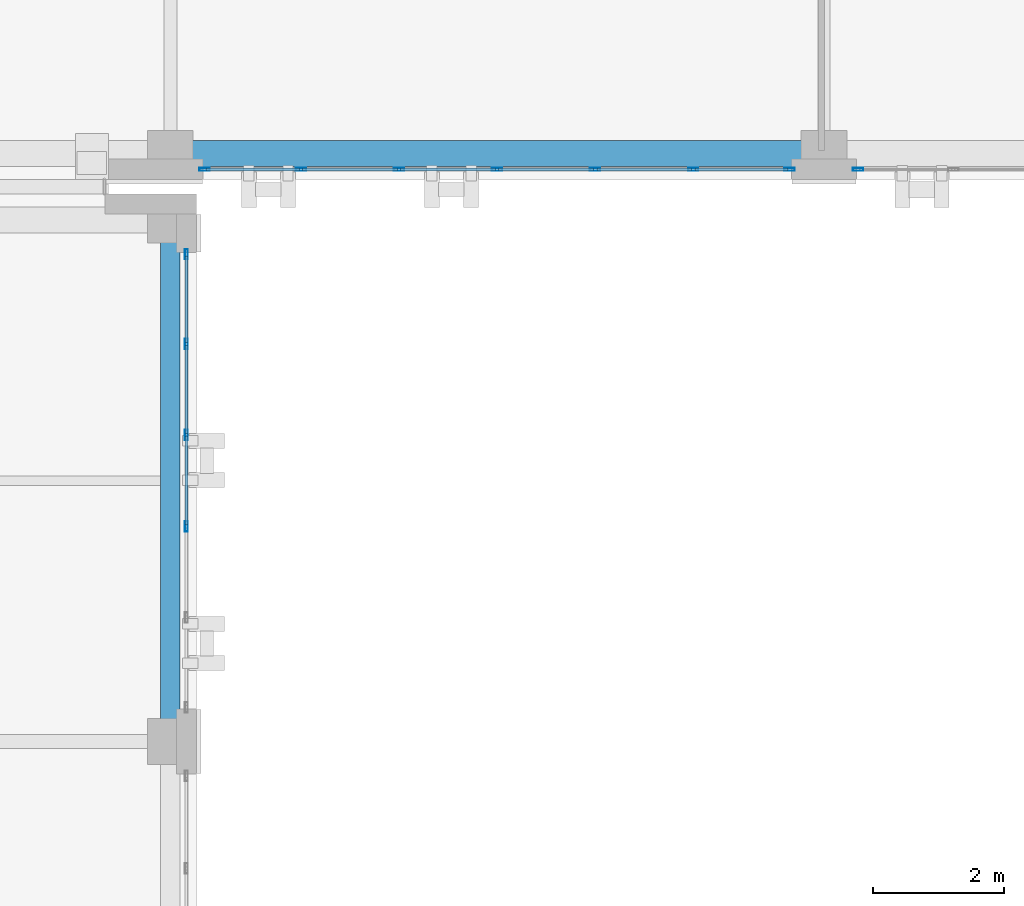
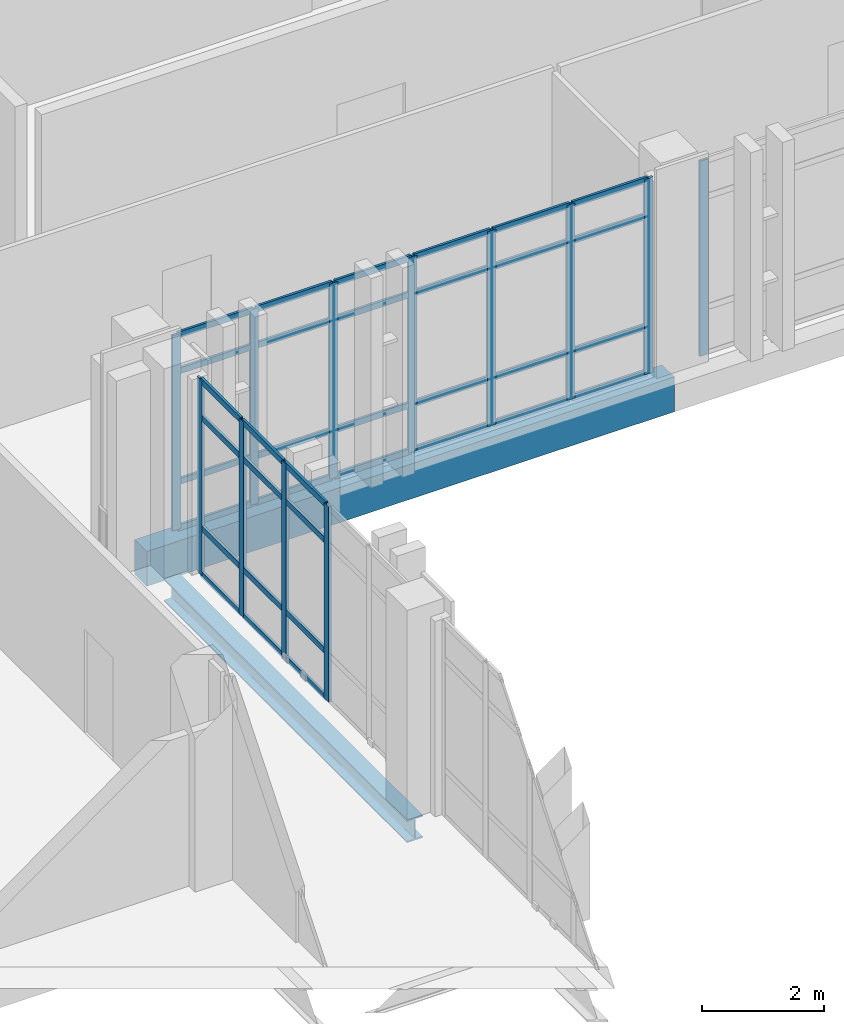
# One storey, part 84 of 193: 48 members, 2 beams, 3 elements without a shape of their own.
"""IFC4 building model written with IfcOpenShell, lengths in metres."""

from ifc_helpers import new_model, si_unit, direction, frame, origin, origin_2d, place, context, subcontext, project, spatial, rectangle, hollow_rectangle, i_section, extrude, material, layer, layer_set, material_profile, profile_set, type_object, element, aggregate, save


model = new_model("IFC4")

# Units and contexts
model_context = context("Model", 3, precision=1e-05, world=origin(), true_north=direction((0.0, 1.0)))
body_context = subcontext(model_context, "Body", "Model", "MODEL_VIEW")
ifc_project = project(units=[si_unit("LENGTHUNIT", "METRE"), si_unit("AREAUNIT", "SQUARE_METRE"), si_unit("VOLUMEUNIT", "CUBIC_METRE"), si_unit("PLANEANGLEUNIT", "RADIAN"), si_unit("MASSUNIT", "GRAM", prefix="KILO")], contexts=[model_context])

# Site, building, storey
site_placement = place(None, origin())
site = spatial("IfcSite", under=ifc_project, at=site_placement, CompositionType="ELEMENT")
building_placement = place(site_placement, origin())
building = spatial("IfcBuilding", under=site, at=building_placement, Name="Qalavern Law Courts", CompositionType="ELEMENT")
storey_placement = place(building_placement, frame((0.0, 0.0, 10.199951171875)))
storey = spatial("IfcBuildingStorey", under=building, at=storey_placement, Name="L02", CompositionType="ELEMENT", Elevation=10.199951171875)

# Curtain wall, members
ifc_material_1 = material(Name="Anodised aluminium and insulated glazing", Category="aluminium")
ifc_layer_1 = layer(ifc_material_1, 0.172119140625)
ifc_layer_set_1 = layer_set([ifc_layer_1], Name="Anodised aluminium and insulated glazing")
curtain_wall_type_1 = type_object("IfcCurtainWallType", Name="ENV-CW-COURT", PredefinedType="USERDEFINED", material=ifc_layer_set_1)
curtain_wall_1_placement = place(storey_placement, origin())
curtain_wall_1 = element("IfcCurtainWall", 1, at=curtain_wall_1_placement, inside=storey, type_object=curtain_wall_type_1, Name="V3 unitised curtain wall L02 east 7", ObjectType="UNITISED CURTAIN WALL", PredefinedType="USERDEFINED")
ifc_material_2 = material(Name="Anodised aluminium", Category="aluminium")
ifc_material_profile_1 = material_profile(ifc_material_2, hollow_rectangle(XDim=0.048095703125, YDim=0.159912109375, WallThickness=0.00390625, at=origin_2d()), Name="ALU MULLION 48x160")
ifc_profile_set_1 = profile_set([ifc_material_profile_1], Name="Anodised aluminium")
member_type_1 = type_object("IfcMemberType", Name="ENV-CWM-48x160", PredefinedType="MULLION", material=ifc_profile_set_1)
member_1_placement = place(storey_placement, frame((18.64501953125, 90.89208984375, 0.0), z_axis=(0.0, 0.0, 1.0), x_axis=(-1.0, 0.0, 0.0)))
member_1 = element("IfcMember", 2, at=member_1_placement, type_object=member_type_1, Name="CW-03 mullion 3", PredefinedType="MULLION", context=body_context, shape_type="SweptSolid", body=[
    extrude(hollow_rectangle(XDim=0.048095703125, YDim=0.159912109375, WallThickness=0.00390625, at=origin_2d()), origin(), (0.0, 0.0, 1.0), 3.9150390625),
])
member_2_placement = place(storey_placement, frame((18.64501953125, 92.2880859375, 0.0), z_axis=(0.0, 0.0, 1.0), x_axis=(-1.0, 0.0, 0.0)))
member_2 = element("IfcMember", 3, at=member_2_placement, type_object=member_type_1, Name="CW-03 mullion 4", PredefinedType="MULLION", context=body_context, shape_type="SweptSolid", body=[
    extrude(hollow_rectangle(XDim=0.048095703125, YDim=0.159912109375, WallThickness=0.00390625, at=origin_2d()), origin(), (0.0, 0.0, 1.0), 3.9150390625),
])
member_3_placement = place(storey_placement, frame((18.64501953125, 93.68408203125, 0.0), z_axis=(0.0, 0.0, 1.0), x_axis=(-1.0, 0.0, 0.0)))
member_3 = element("IfcMember", 4, at=member_3_placement, type_object=member_type_1, Name="CW-03 mullion 5", PredefinedType="MULLION", context=body_context, shape_type="SweptSolid", body=[
    extrude(hollow_rectangle(XDim=0.048095703125, YDim=0.159912109375, WallThickness=0.00390625, at=origin_2d()), origin(), (0.0, 0.0, 1.0), 3.9150390625),
])
member_4_placement = place(storey_placement, frame((18.64501953125, 95.055908203125, 0.0), z_axis=(0.0, 0.0, 1.0), x_axis=(-1.0, 0.0, 0.0)))
member_4 = element("IfcMember", 5, at=member_4_placement, type_object=member_type_1, Name="CW-03 mullion 6", PredefinedType="MULLION", context=body_context, shape_type="SweptSolid", body=[
    extrude(hollow_rectangle(XDim=0.048095703125, YDim=0.159912109375, WallThickness=0.00390625, at=origin_2d()), origin(), (0.0, 0.0, 1.0), 3.9150390625),
])

ifc_layer_2 = layer(ifc_material_1, 0.166015625)
ifc_layer_set_2 = layer_set([ifc_layer_2], Name="Anodised aluminium and insulated glazing")
curtain_wall_type_2 = type_object("IfcCurtainWallType", Name="ENV-CW-LIB", PredefinedType="USERDEFINED", material=ifc_layer_set_2)
curtain_wall_2_placement = place(storey_placement, origin())
curtain_wall_2 = element("IfcCurtainWall", 6, at=curtain_wall_2_placement, inside=storey, type_object=curtain_wall_type_2, Name="V5 unitised curtain wall L02 south 1", ObjectType="UNITISED CURTAIN WALL", PredefinedType="USERDEFINED")
member_5_placement = place(storey_placement, frame((18.924072265625, 96.35498046875, 0.0), z_axis=(0.0, 0.0, 1.0), x_axis=(0.0, 1.0, 0.0)))
member_5 = element("IfcMember", 7, at=member_5_placement, type_object=member_type_1, Name="CW-05 mullion 1", PredefinedType="MULLION", context=body_context, shape_type="SweptSolid", body=[
    extrude(hollow_rectangle(XDim=0.048095703125, YDim=0.159912109375, WallThickness=0.00390625, at=origin_2d()), origin(), (0.0, 0.0, 1.0), 3.9150390625),
])
member_6_placement = place(storey_placement, frame((20.39990234375, 96.35498046875, 0.0), z_axis=(0.0, 0.0, 1.0), x_axis=(0.0, 1.0, 0.0)))
member_6 = element("IfcMember", 8, at=member_6_placement, type_object=member_type_1, Name="CW-05 mullion 2", PredefinedType="MULLION", context=body_context, shape_type="SweptSolid", body=[
    extrude(hollow_rectangle(XDim=0.048095703125, YDim=0.159912109375, WallThickness=0.00390625, at=origin_2d()), origin(), (0.0, 0.0, 1.0), 3.9150390625),
])
member_7_placement = place(storey_placement, frame((21.89990234375, 96.35498046875, 0.0), z_axis=(0.0, 0.0, 1.0), x_axis=(0.0, 1.0, 0.0)))
member_7 = element("IfcMember", 9, at=member_7_placement, type_object=member_type_1, Name="CW-05 mullion 3", PredefinedType="MULLION", context=body_context, shape_type="SweptSolid", body=[
    extrude(hollow_rectangle(XDim=0.048095703125, YDim=0.159912109375, WallThickness=0.00390625, at=origin_2d()), origin(), (0.0, 0.0, 1.0), 3.9150390625),
])
member_8_placement = place(storey_placement, frame((23.39990234375, 96.35498046875, 0.0), z_axis=(0.0, 0.0, 1.0), x_axis=(0.0, 1.0, 0.0)))
member_8 = element("IfcMember", 10, at=member_8_placement, type_object=member_type_1, Name="CW-05 mullion 4", PredefinedType="MULLION", context=body_context, shape_type="SweptSolid", body=[
    extrude(hollow_rectangle(XDim=0.048095703125, YDim=0.159912109375, WallThickness=0.00390625, at=origin_2d()), origin(), (0.0, 0.0, 1.0), 3.9150390625),
])
member_9_placement = place(storey_placement, frame((24.89990234375, 96.35498046875, 0.0), z_axis=(0.0, 0.0, 1.0), x_axis=(0.0, 1.0, 0.0)))
member_9 = element("IfcMember", 11, at=member_9_placement, type_object=member_type_1, Name="CW-05 mullion 5", PredefinedType="MULLION", context=body_context, shape_type="SweptSolid", body=[
    extrude(hollow_rectangle(XDim=0.048095703125, YDim=0.159912109375, WallThickness=0.00390625, at=origin_2d()), origin(), (0.0, 0.0, 1.0), 3.9150390625),
])
member_10_placement = place(storey_placement, frame((26.39990234375, 96.35498046875, 0.0), z_axis=(0.0, 0.0, 1.0), x_axis=(0.0, 1.0, 0.0)))
member_10 = element("IfcMember", 12, at=member_10_placement, type_object=member_type_1, Name="CW-05 mullion 6", PredefinedType="MULLION", context=body_context, shape_type="SweptSolid", body=[
    extrude(hollow_rectangle(XDim=0.048095703125, YDim=0.159912109375, WallThickness=0.00390625, at=origin_2d()), origin(), (0.0, 0.0, 1.0), 3.9150390625),
])
member_11_placement = place(storey_placement, frame((27.8759765625, 96.35498046875, 0.0), z_axis=(0.0, 0.0, 1.0), x_axis=(0.0, 1.0, 0.0)))
member_11 = element("IfcMember", 13, at=member_11_placement, type_object=member_type_1, Name="CW-05 mullion 7", PredefinedType="MULLION", context=body_context, shape_type="SweptSolid", body=[
    extrude(hollow_rectangle(XDim=0.048095703125, YDim=0.159912109375, WallThickness=0.00390625, at=origin_2d()), origin(), (0.0, 0.0, 1.0), 3.9150390625),
])

# Curtain wall, member
curtain_wall_3_placement = place(storey_placement, origin())
curtain_wall_3 = element("IfcCurtainWall", 14, at=curtain_wall_3_placement, inside=storey, type_object=curtain_wall_type_2, Name="V5 unitised curtain wall L02 south 2", ObjectType="UNITISED CURTAIN WALL", PredefinedType="USERDEFINED")
member_12_placement = place(storey_placement, frame((28.924072265625, 96.35498046875, 0.0), z_axis=(0.0, 0.0, 1.0), x_axis=(0.0, 1.0, 0.0)))
member_12 = element("IfcMember", 15, at=member_12_placement, type_object=member_type_1, Name="CW-05 mullion 1", PredefinedType="MULLION", context=body_context, shape_type="SweptSolid", body=[
    extrude(hollow_rectangle(XDim=0.048095703125, YDim=0.159912109375, WallThickness=0.00390625, at=origin_2d()), origin(), (0.0, 0.0, 1.0), 3.9150390625),
])
aggregate(curtain_wall_3, [member_12])

# Member
ifc_material_profile_2 = material_profile(ifc_material_2, hollow_rectangle(XDim=0.048095703125, YDim=0.1201171875, WallThickness=0.00390625, at=origin_2d()), Name="ALU TRANSOM 48x120")
ifc_profile_set_2 = profile_set([ifc_material_profile_2], Name="Anodised aluminium")
member_type_2 = type_object("IfcMemberType", Name="ENV-CWT-48x120", PredefinedType="USERDEFINED", material=ifc_profile_set_2)
member_13_placement = place(storey_placement, frame((18.64501953125, 90.916015625, 0.024169921875), z_axis=(0.0, 1.0, 0.0), x_axis=(-1.0, 0.0, 0.0)))
member_13 = element("IfcMember", 16, at=member_13_placement, type_object=member_type_2, Name="CW-03 transom 3.1", ObjectType="TRANSOM", PredefinedType="USERDEFINED", context=body_context, shape_type="SweptSolid", body=[
    extrude(hollow_rectangle(XDim=0.048095703125, YDim=0.1201171875, WallThickness=0.00390625, at=origin_2d()), origin(), (0.0, 0.0, 1.0), 1.347900390625),
])

member_14_placement = place(storey_placement, frame((18.64501953125, 90.916015625, 0.949951171875), z_axis=(0.0, 1.0, 0.0), x_axis=(-1.0, 0.0, 0.0)))
member_14 = element("IfcMember", 17, at=member_14_placement, type_object=member_type_2, Name="CW-03 transom 3.2", ObjectType="TRANSOM", PredefinedType="USERDEFINED", context=body_context, shape_type="SweptSolid", body=[
    extrude(hollow_rectangle(XDim=0.048095703125, YDim=0.1201171875, WallThickness=0.00390625, at=origin_2d()), origin(), (0.0, 0.0, 1.0), 1.347900390625),
])

member_15_placement = place(storey_placement, frame((18.64501953125, 90.916015625, 3.1650390625), z_axis=(0.0, 1.0, 0.0), x_axis=(-1.0, 0.0, 0.0)))
member_15 = element("IfcMember", 18, at=member_15_placement, type_object=member_type_2, Name="CW-03 transom 3.3", ObjectType="TRANSOM", PredefinedType="USERDEFINED", context=body_context, shape_type="SweptSolid", body=[
    extrude(hollow_rectangle(XDim=0.048095703125, YDim=0.1201171875, WallThickness=0.00390625, at=origin_2d()), origin(), (0.0, 0.0, 1.0), 1.347900390625),
])

member_16_placement = place(storey_placement, frame((18.64501953125, 90.916015625, 3.89111328125), z_axis=(0.0, 1.0, 0.0), x_axis=(-1.0, 0.0, 0.0)))
member_16 = element("IfcMember", 19, at=member_16_placement, type_object=member_type_2, Name="CW-03 transom 3.4", ObjectType="TRANSOM", PredefinedType="USERDEFINED", context=body_context, shape_type="SweptSolid", body=[
    extrude(hollow_rectangle(XDim=0.048095703125, YDim=0.1201171875, WallThickness=0.00390625, at=origin_2d()), origin(), (0.0, 0.0, 1.0), 1.347900390625),
])

member_17_placement = place(storey_placement, frame((18.64501953125, 92.31201171875, 0.024169921875), z_axis=(0.0, 1.0, 0.0), x_axis=(-1.0, 0.0, 0.0)))
member_17 = element("IfcMember", 20, at=member_17_placement, type_object=member_type_2, Name="CW-03 transom 4.1", ObjectType="TRANSOM", PredefinedType="USERDEFINED", context=body_context, shape_type="SweptSolid", body=[
    extrude(hollow_rectangle(XDim=0.048095703125, YDim=0.1201171875, WallThickness=0.00390625, at=origin_2d()), origin(), (0.0, 0.0, 1.0), 1.347900390625),
])

member_18_placement = place(storey_placement, frame((18.64501953125, 92.31201171875, 0.949951171875), z_axis=(0.0, 1.0, 0.0), x_axis=(-1.0, 0.0, 0.0)))
member_18 = element("IfcMember", 21, at=member_18_placement, type_object=member_type_2, Name="CW-03 transom 4.2", ObjectType="TRANSOM", PredefinedType="USERDEFINED", context=body_context, shape_type="SweptSolid", body=[
    extrude(hollow_rectangle(XDim=0.048095703125, YDim=0.1201171875, WallThickness=0.00390625, at=origin_2d()), origin(), (0.0, 0.0, 1.0), 1.347900390625),
])

member_19_placement = place(storey_placement, frame((18.64501953125, 92.31201171875, 3.1650390625), z_axis=(0.0, 1.0, 0.0), x_axis=(-1.0, 0.0, 0.0)))
member_19 = element("IfcMember", 22, at=member_19_placement, type_object=member_type_2, Name="CW-03 transom 4.3", ObjectType="TRANSOM", PredefinedType="USERDEFINED", context=body_context, shape_type="SweptSolid", body=[
    extrude(hollow_rectangle(XDim=0.048095703125, YDim=0.1201171875, WallThickness=0.00390625, at=origin_2d()), origin(), (0.0, 0.0, 1.0), 1.347900390625),
])

member_20_placement = place(storey_placement, frame((18.64501953125, 92.31201171875, 3.89111328125), z_axis=(0.0, 1.0, 0.0), x_axis=(-1.0, 0.0, 0.0)))
member_20 = element("IfcMember", 23, at=member_20_placement, type_object=member_type_2, Name="CW-03 transom 4.4", ObjectType="TRANSOM", PredefinedType="USERDEFINED", context=body_context, shape_type="SweptSolid", body=[
    extrude(hollow_rectangle(XDim=0.048095703125, YDim=0.1201171875, WallThickness=0.00390625, at=origin_2d()), origin(), (0.0, 0.0, 1.0), 1.347900390625),
])

member_21_placement = place(storey_placement, frame((18.64501953125, 93.7080078125, 0.024169921875), z_axis=(0.0, 1.0, 0.0), x_axis=(-1.0, 0.0, 0.0)))
member_21 = element("IfcMember", 24, at=member_21_placement, type_object=member_type_2, Name="CW-03 transom 5.1", ObjectType="TRANSOM", PredefinedType="USERDEFINED", context=body_context, shape_type="SweptSolid", body=[
    extrude(hollow_rectangle(XDim=0.048095703125, YDim=0.1201171875, WallThickness=0.00390625, at=origin_2d()), origin(), (0.0, 0.0, 1.0), 1.323974609375),
])

member_22_placement = place(storey_placement, frame((18.64501953125, 93.7080078125, 0.949951171875), z_axis=(0.0, 1.0, 0.0), x_axis=(-1.0, 0.0, 0.0)))
member_22 = element("IfcMember", 25, at=member_22_placement, type_object=member_type_2, Name="CW-03 transom 5.2", ObjectType="TRANSOM", PredefinedType="USERDEFINED", context=body_context, shape_type="SweptSolid", body=[
    extrude(hollow_rectangle(XDim=0.048095703125, YDim=0.1201171875, WallThickness=0.00390625, at=origin_2d()), origin(), (0.0, 0.0, 1.0), 1.323974609375),
])

member_23_placement = place(storey_placement, frame((18.64501953125, 93.7080078125, 3.1650390625), z_axis=(0.0, 1.0, 0.0), x_axis=(-1.0, 0.0, 0.0)))
member_23 = element("IfcMember", 26, at=member_23_placement, type_object=member_type_2, Name="CW-03 transom 5.3", ObjectType="TRANSOM", PredefinedType="USERDEFINED", context=body_context, shape_type="SweptSolid", body=[
    extrude(hollow_rectangle(XDim=0.048095703125, YDim=0.1201171875, WallThickness=0.00390625, at=origin_2d()), origin(), (0.0, 0.0, 1.0), 1.323974609375),
])

member_24_placement = place(storey_placement, frame((18.64501953125, 93.7080078125, 3.89111328125), z_axis=(0.0, 1.0, 0.0), x_axis=(-1.0, 0.0, 0.0)))
member_24 = element("IfcMember", 27, at=member_24_placement, type_object=member_type_2, Name="CW-03 transom 5.4", ObjectType="TRANSOM", PredefinedType="USERDEFINED", context=body_context, shape_type="SweptSolid", body=[
    extrude(hollow_rectangle(XDim=0.048095703125, YDim=0.1201171875, WallThickness=0.00390625, at=origin_2d()), origin(), (0.0, 0.0, 1.0), 1.323974609375),
])

aggregate(curtain_wall_1, [member_1, member_2, member_3, member_4, member_13, member_14, member_15, member_16, member_17, member_18, member_19, member_20, member_21, member_22, member_23, member_24])

member_25_placement = place(storey_placement, frame((18.947998046875, 96.35498046875, 0.024169921875), z_axis=(1.0, 0.0, 0.0), x_axis=(0.0, 1.0, 0.0)))
member_25 = element("IfcMember", 28, at=member_25_placement, type_object=member_type_2, Name="CW-05 transom 1.1", ObjectType="TRANSOM", PredefinedType="USERDEFINED", context=body_context, shape_type="SweptSolid", body=[
    extrude(hollow_rectangle(XDim=0.048095703125, YDim=0.1201171875, WallThickness=0.00390625, at=origin_2d()), origin(), (0.0, 0.0, 1.0), 1.427978515625),
])

member_26_placement = place(storey_placement, frame((18.947998046875, 96.35498046875, 0.949951171875), z_axis=(1.0, 0.0, 0.0), x_axis=(0.0, 1.0, 0.0)))
member_26 = element("IfcMember", 29, at=member_26_placement, type_object=member_type_2, Name="CW-05 transom 1.2", ObjectType="TRANSOM", PredefinedType="USERDEFINED", context=body_context, shape_type="SweptSolid", body=[
    extrude(hollow_rectangle(XDim=0.048095703125, YDim=0.1201171875, WallThickness=0.00390625, at=origin_2d()), origin(), (0.0, 0.0, 1.0), 1.427978515625),
])

member_27_placement = place(storey_placement, frame((18.947998046875, 96.35498046875, 3.1650390625), z_axis=(1.0, 0.0, 0.0), x_axis=(0.0, 1.0, 0.0)))
member_27 = element("IfcMember", 30, at=member_27_placement, type_object=member_type_2, Name="CW-05 transom 1.3", ObjectType="TRANSOM", PredefinedType="USERDEFINED", context=body_context, shape_type="SweptSolid", body=[
    extrude(hollow_rectangle(XDim=0.048095703125, YDim=0.1201171875, WallThickness=0.00390625, at=origin_2d()), origin(), (0.0, 0.0, 1.0), 1.427978515625),
])

member_28_placement = place(storey_placement, frame((18.947998046875, 96.35498046875, 3.89111328125), z_axis=(1.0, 0.0, 0.0), x_axis=(0.0, 1.0, 0.0)))
member_28 = element("IfcMember", 31, at=member_28_placement, type_object=member_type_2, Name="CW-05 transom 1.4", ObjectType="TRANSOM", PredefinedType="USERDEFINED", context=body_context, shape_type="SweptSolid", body=[
    extrude(hollow_rectangle(XDim=0.048095703125, YDim=0.1201171875, WallThickness=0.00390625, at=origin_2d()), origin(), (0.0, 0.0, 1.0), 1.427978515625),
])

member_29_placement = place(storey_placement, frame((20.424072265625, 96.35498046875, 0.024169921875), z_axis=(1.0, 0.0, 0.0), x_axis=(0.0, 1.0, 0.0)))
member_29 = element("IfcMember", 32, at=member_29_placement, type_object=member_type_2, Name="CW-05 transom 2.1", ObjectType="TRANSOM", PredefinedType="USERDEFINED", context=body_context, shape_type="SweptSolid", body=[
    extrude(hollow_rectangle(XDim=0.048095703125, YDim=0.1201171875, WallThickness=0.00390625, at=origin_2d()), origin(), (0.0, 0.0, 1.0), 1.451904296875),
])

member_30_placement = place(storey_placement, frame((20.424072265625, 96.35498046875, 0.949951171875), z_axis=(1.0, 0.0, 0.0), x_axis=(0.0, 1.0, 0.0)))
member_30 = element("IfcMember", 33, at=member_30_placement, type_object=member_type_2, Name="CW-05 transom 2.2", ObjectType="TRANSOM", PredefinedType="USERDEFINED", context=body_context, shape_type="SweptSolid", body=[
    extrude(hollow_rectangle(XDim=0.048095703125, YDim=0.1201171875, WallThickness=0.00390625, at=origin_2d()), origin(), (0.0, 0.0, 1.0), 1.451904296875),
])

member_31_placement = place(storey_placement, frame((20.424072265625, 96.35498046875, 3.1650390625), z_axis=(1.0, 0.0, 0.0), x_axis=(0.0, 1.0, 0.0)))
member_31 = element("IfcMember", 34, at=member_31_placement, type_object=member_type_2, Name="CW-05 transom 2.3", ObjectType="TRANSOM", PredefinedType="USERDEFINED", context=body_context, shape_type="SweptSolid", body=[
    extrude(hollow_rectangle(XDim=0.048095703125, YDim=0.1201171875, WallThickness=0.00390625, at=origin_2d()), origin(), (0.0, 0.0, 1.0), 1.451904296875),
])

member_32_placement = place(storey_placement, frame((20.424072265625, 96.35498046875, 3.89111328125), z_axis=(1.0, 0.0, 0.0), x_axis=(0.0, 1.0, 0.0)))
member_32 = element("IfcMember", 35, at=member_32_placement, type_object=member_type_2, Name="CW-05 transom 2.4", ObjectType="TRANSOM", PredefinedType="USERDEFINED", context=body_context, shape_type="SweptSolid", body=[
    extrude(hollow_rectangle(XDim=0.048095703125, YDim=0.1201171875, WallThickness=0.00390625, at=origin_2d()), origin(), (0.0, 0.0, 1.0), 1.451904296875),
])

member_33_placement = place(storey_placement, frame((21.924072265625, 96.35498046875, 0.024169921875), z_axis=(1.0, 0.0, 0.0), x_axis=(0.0, 1.0, 0.0)))
member_33 = element("IfcMember", 36, at=member_33_placement, type_object=member_type_2, Name="CW-05 transom 3.1", ObjectType="TRANSOM", PredefinedType="USERDEFINED", context=body_context, shape_type="SweptSolid", body=[
    extrude(hollow_rectangle(XDim=0.048095703125, YDim=0.1201171875, WallThickness=0.00390625, at=origin_2d()), origin(), (0.0, 0.0, 1.0), 1.451904296875),
])

member_34_placement = place(storey_placement, frame((21.924072265625, 96.35498046875, 0.949951171875), z_axis=(1.0, 0.0, 0.0), x_axis=(0.0, 1.0, 0.0)))
member_34 = element("IfcMember", 37, at=member_34_placement, type_object=member_type_2, Name="CW-05 transom 3.2", ObjectType="TRANSOM", PredefinedType="USERDEFINED", context=body_context, shape_type="SweptSolid", body=[
    extrude(hollow_rectangle(XDim=0.048095703125, YDim=0.1201171875, WallThickness=0.00390625, at=origin_2d()), origin(), (0.0, 0.0, 1.0), 1.451904296875),
])

member_35_placement = place(storey_placement, frame((21.924072265625, 96.35498046875, 3.1650390625), z_axis=(1.0, 0.0, 0.0), x_axis=(0.0, 1.0, 0.0)))
member_35 = element("IfcMember", 38, at=member_35_placement, type_object=member_type_2, Name="CW-05 transom 3.3", ObjectType="TRANSOM", PredefinedType="USERDEFINED", context=body_context, shape_type="SweptSolid", body=[
    extrude(hollow_rectangle(XDim=0.048095703125, YDim=0.1201171875, WallThickness=0.00390625, at=origin_2d()), origin(), (0.0, 0.0, 1.0), 1.451904296875),
])

member_36_placement = place(storey_placement, frame((21.924072265625, 96.35498046875, 3.89111328125), z_axis=(1.0, 0.0, 0.0), x_axis=(0.0, 1.0, 0.0)))
member_36 = element("IfcMember", 39, at=member_36_placement, type_object=member_type_2, Name="CW-05 transom 3.4", ObjectType="TRANSOM", PredefinedType="USERDEFINED", context=body_context, shape_type="SweptSolid", body=[
    extrude(hollow_rectangle(XDim=0.048095703125, YDim=0.1201171875, WallThickness=0.00390625, at=origin_2d()), origin(), (0.0, 0.0, 1.0), 1.451904296875),
])

member_37_placement = place(storey_placement, frame((23.424072265625, 96.35498046875, 0.024169921875), z_axis=(1.0, 0.0, 0.0), x_axis=(0.0, 1.0, 0.0)))
member_37 = element("IfcMember", 40, at=member_37_placement, type_object=member_type_2, Name="CW-05 transom 4.1", ObjectType="TRANSOM", PredefinedType="USERDEFINED", context=body_context, shape_type="SweptSolid", body=[
    extrude(hollow_rectangle(XDim=0.048095703125, YDim=0.1201171875, WallThickness=0.00390625, at=origin_2d()), origin(), (0.0, 0.0, 1.0), 1.451904296875),
])

member_38_placement = place(storey_placement, frame((23.424072265625, 96.35498046875, 0.949951171875), z_axis=(1.0, 0.0, 0.0), x_axis=(0.0, 1.0, 0.0)))
member_38 = element("IfcMember", 41, at=member_38_placement, type_object=member_type_2, Name="CW-05 transom 4.2", ObjectType="TRANSOM", PredefinedType="USERDEFINED", context=body_context, shape_type="SweptSolid", body=[
    extrude(hollow_rectangle(XDim=0.048095703125, YDim=0.1201171875, WallThickness=0.00390625, at=origin_2d()), origin(), (0.0, 0.0, 1.0), 1.451904296875),
])

member_39_placement = place(storey_placement, frame((23.424072265625, 96.35498046875, 3.1650390625), z_axis=(1.0, 0.0, 0.0), x_axis=(0.0, 1.0, 0.0)))
member_39 = element("IfcMember", 42, at=member_39_placement, type_object=member_type_2, Name="CW-05 transom 4.3", ObjectType="TRANSOM", PredefinedType="USERDEFINED", context=body_context, shape_type="SweptSolid", body=[
    extrude(hollow_rectangle(XDim=0.048095703125, YDim=0.1201171875, WallThickness=0.00390625, at=origin_2d()), origin(), (0.0, 0.0, 1.0), 1.451904296875),
])

member_40_placement = place(storey_placement, frame((23.424072265625, 96.35498046875, 3.89111328125), z_axis=(1.0, 0.0, 0.0), x_axis=(0.0, 1.0, 0.0)))
member_40 = element("IfcMember", 43, at=member_40_placement, type_object=member_type_2, Name="CW-05 transom 4.4", ObjectType="TRANSOM", PredefinedType="USERDEFINED", context=body_context, shape_type="SweptSolid", body=[
    extrude(hollow_rectangle(XDim=0.048095703125, YDim=0.1201171875, WallThickness=0.00390625, at=origin_2d()), origin(), (0.0, 0.0, 1.0), 1.451904296875),
])

member_41_placement = place(storey_placement, frame((24.924072265625, 96.35498046875, 0.024169921875), z_axis=(1.0, 0.0, 0.0), x_axis=(0.0, 1.0, 0.0)))
member_41 = element("IfcMember", 44, at=member_41_placement, type_object=member_type_2, Name="CW-05 transom 5.1", ObjectType="TRANSOM", PredefinedType="USERDEFINED", context=body_context, shape_type="SweptSolid", body=[
    extrude(hollow_rectangle(XDim=0.048095703125, YDim=0.1201171875, WallThickness=0.00390625, at=origin_2d()), origin(), (0.0, 0.0, 1.0), 1.451904296875),
])

member_42_placement = place(storey_placement, frame((24.924072265625, 96.35498046875, 0.949951171875), z_axis=(1.0, 0.0, 0.0), x_axis=(0.0, 1.0, 0.0)))
member_42 = element("IfcMember", 45, at=member_42_placement, type_object=member_type_2, Name="CW-05 transom 5.2", ObjectType="TRANSOM", PredefinedType="USERDEFINED", context=body_context, shape_type="SweptSolid", body=[
    extrude(hollow_rectangle(XDim=0.048095703125, YDim=0.1201171875, WallThickness=0.00390625, at=origin_2d()), origin(), (0.0, 0.0, 1.0), 1.451904296875),
])

member_43_placement = place(storey_placement, frame((24.924072265625, 96.35498046875, 3.1650390625), z_axis=(1.0, 0.0, 0.0), x_axis=(0.0, 1.0, 0.0)))
member_43 = element("IfcMember", 46, at=member_43_placement, type_object=member_type_2, Name="CW-05 transom 5.3", ObjectType="TRANSOM", PredefinedType="USERDEFINED", context=body_context, shape_type="SweptSolid", body=[
    extrude(hollow_rectangle(XDim=0.048095703125, YDim=0.1201171875, WallThickness=0.00390625, at=origin_2d()), origin(), (0.0, 0.0, 1.0), 1.451904296875),
])

member_44_placement = place(storey_placement, frame((24.924072265625, 96.35498046875, 3.89111328125), z_axis=(1.0, 0.0, 0.0), x_axis=(0.0, 1.0, 0.0)))
member_44 = element("IfcMember", 47, at=member_44_placement, type_object=member_type_2, Name="CW-05 transom 5.4", ObjectType="TRANSOM", PredefinedType="USERDEFINED", context=body_context, shape_type="SweptSolid", body=[
    extrude(hollow_rectangle(XDim=0.048095703125, YDim=0.1201171875, WallThickness=0.00390625, at=origin_2d()), origin(), (0.0, 0.0, 1.0), 1.451904296875),
])

member_45_placement = place(storey_placement, frame((26.424072265625, 96.35498046875, 0.024169921875), z_axis=(1.0, 0.0, 0.0), x_axis=(0.0, 1.0, 0.0)))
member_45 = element("IfcMember", 48, at=member_45_placement, type_object=member_type_2, Name="CW-05 transom 6.1", ObjectType="TRANSOM", PredefinedType="USERDEFINED", context=body_context, shape_type="SweptSolid", body=[
    extrude(hollow_rectangle(XDim=0.048095703125, YDim=0.1201171875, WallThickness=0.00390625, at=origin_2d()), origin(), (0.0, 0.0, 1.0), 1.427978515625),
])

member_46_placement = place(storey_placement, frame((26.424072265625, 96.35498046875, 0.949951171875), z_axis=(1.0, 0.0, 0.0), x_axis=(0.0, 1.0, 0.0)))
member_46 = element("IfcMember", 49, at=member_46_placement, type_object=member_type_2, Name="CW-05 transom 6.2", ObjectType="TRANSOM", PredefinedType="USERDEFINED", context=body_context, shape_type="SweptSolid", body=[
    extrude(hollow_rectangle(XDim=0.048095703125, YDim=0.1201171875, WallThickness=0.00390625, at=origin_2d()), origin(), (0.0, 0.0, 1.0), 1.427978515625),
])

member_47_placement = place(storey_placement, frame((26.424072265625, 96.35498046875, 3.1650390625), z_axis=(1.0, 0.0, 0.0), x_axis=(0.0, 1.0, 0.0)))
member_47 = element("IfcMember", 50, at=member_47_placement, type_object=member_type_2, Name="CW-05 transom 6.3", ObjectType="TRANSOM", PredefinedType="USERDEFINED", context=body_context, shape_type="SweptSolid", body=[
    extrude(hollow_rectangle(XDim=0.048095703125, YDim=0.1201171875, WallThickness=0.00390625, at=origin_2d()), origin(), (0.0, 0.0, 1.0), 1.427978515625),
])

member_48_placement = place(storey_placement, frame((26.424072265625, 96.35498046875, 3.89111328125), z_axis=(1.0, 0.0, 0.0), x_axis=(0.0, 1.0, 0.0)))
member_48 = element("IfcMember", 51, at=member_48_placement, type_object=member_type_2, Name="CW-05 transom 6.4", ObjectType="TRANSOM", PredefinedType="USERDEFINED", context=body_context, shape_type="SweptSolid", body=[
    extrude(hollow_rectangle(XDim=0.048095703125, YDim=0.1201171875, WallThickness=0.00390625, at=origin_2d()), origin(), (0.0, 0.0, 1.0), 1.427978515625),
])

aggregate(curtain_wall_2, [member_5, member_6, member_7, member_8, member_9, member_10, member_11, member_25, member_26, member_27, member_28, member_29, member_30, member_31, member_32, member_33, member_34, member_35, member_36, member_37, member_38, member_39, member_40, member_41, member_42, member_43, member_44, member_45, member_46, member_47, member_48])

# Beams
ifc_material_3 = material(Name="Steel S355", Category="steel")
ifc_material_profile_3 = material_profile(ifc_material_3, i_section(OverallWidth=0.300048828125, OverallDepth=0.449951171875, WebThickness=0.013916015625, FlangeThickness=0.02587890625, FilletRadius=0.027099609375, at=origin_2d()), Name="HEB 450")
ifc_profile_set_3 = profile_set([ifc_material_profile_3], Name="Steel S355")
beam_type_1 = type_object("IfcBeamType", Name="STR-SP-HEB450", PredefinedType="SPANDREL", material=ifc_profile_set_3)
beam_1_placement = place(storey_placement, frame((18.39990234375, 87.60009765625, -0.514892578125), z_axis=(0.0, 1.0, 0.0), x_axis=(-1.0, 0.0, 0.0)))
element("IfcBeam", 52, at=beam_1_placement, inside=storey, type_object=beam_type_1, Name="V3 Y-beam 3-7 L02", PredefinedType="SPANDREL", context=body_context, shape_type="SweptSolid", body=[
    extrude(i_section(OverallWidth=0.300048828125, OverallDepth=0.449951171875, WebThickness=0.013916015625, FlangeThickness=0.02587890625, FilletRadius=0.027099609375, at=origin_2d()), origin(), (0.0, 0.0, 1.0), 7.97998046875),
])
ifc_material_4 = material(Name="Concrete C40/50", Category="concrete")
ifc_material_profile_4 = material_profile(ifc_material_4, rectangle(XDim=0.39990234375, YDim=0.699951171875, at=origin_2d()), Name="RC 400x700")
ifc_profile_set_4 = profile_set([ifc_material_profile_4], Name="Concrete C40/50")
beam_type_2 = type_object("IfcBeamType", Name="STR-SP-RC400x700", PredefinedType="SPANDREL", material=ifc_profile_set_4)
beam_2_placement = place(storey_placement, frame((18.39990234375, 96.60009765625, -0.639892578125), z_axis=(1.0, 0.0, 0.0), x_axis=(0.0, 1.0, 0.0)))
element("IfcBeam", 53, at=beam_2_placement, inside=storey, type_object=beam_type_2, Name="V5 X-beam 1-3 L02", PredefinedType="SPANDREL", context=body_context, shape_type="SweptSolid", body=[
    extrude(rectangle(XDim=0.39990234375, YDim=0.699951171875, at=origin_2d()), origin(), (0.0, 0.0, 1.0), 10.0),
])

save(model, "model.ifc")
